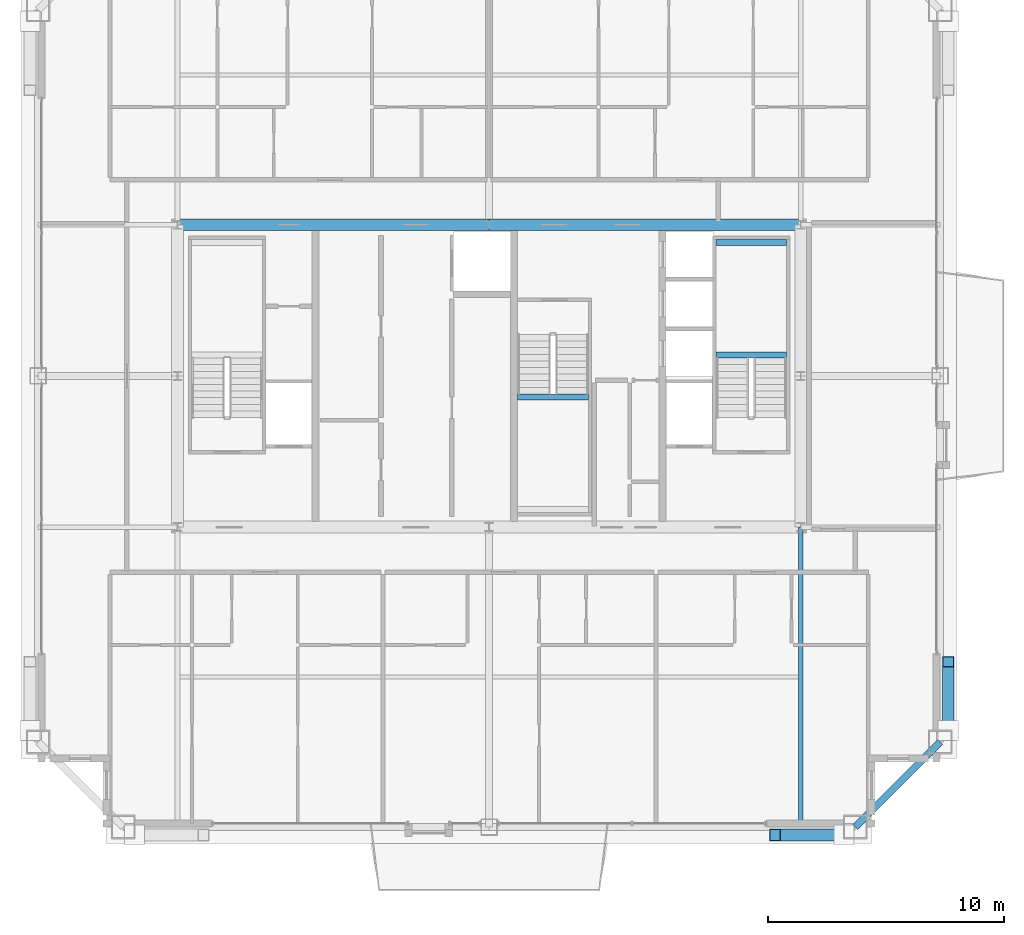
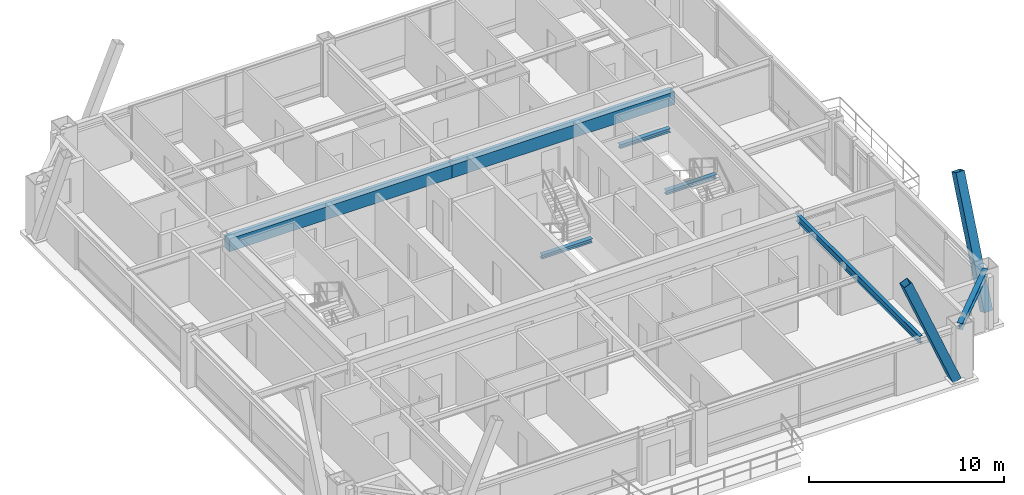
# One storey, part 12 of 35: 7 beams, 2 members.
"""IFC4 building model written with IfcOpenShell, lengths in metres."""

from ifc_helpers import new_model, si_unit, direction, frame, origin, origin_2d, place, context, subcontext, project, spatial, rectangle, hollow_rectangle, i_section, extrude, source, transform, mapped, material, material_profile, profile_set, type_object, element, save


model = new_model("IFC4")

# Units and contexts
model_context = context("Model", 3, precision=1e-05, world=origin(), true_north=direction((0.0, 1.0)))
body_context = subcontext(model_context, "Body", "Model", "MODEL_VIEW")
ifc_project = project(units=[si_unit("LENGTHUNIT", "METRE"), si_unit("AREAUNIT", "SQUARE_METRE"), si_unit("VOLUMEUNIT", "CUBIC_METRE"), si_unit("PLANEANGLEUNIT", "RADIAN"), si_unit("MASSUNIT", "GRAM", prefix="KILO"), si_unit("THERMODYNAMICTEMPERATUREUNIT", "KELVIN"), si_unit("POWERUNIT", "WATT")], contexts=[model_context])

# Site, building, storey
site_placement = place(None, origin())
site = spatial("IfcSite", under=ifc_project, at=site_placement, CompositionType="ELEMENT")
building_placement = place(site_placement, origin())
building = spatial("IfcBuilding", under=site, at=building_placement, Name="Yuzanri Waterfront Tower", CompositionType="ELEMENT")
storey_placement = place(building_placement, frame((0.0, 0.0, 335.699951171875)))
storey = spatial("IfcBuildingStorey", under=building, at=storey_placement, Name="L90", CompositionType="ELEMENT", Elevation=335.699951171875)

# Beams
ifc_material_1 = material(Name="Concrete C50", Category="concrete")
ifc_material_profile_1 = material_profile(ifc_material_1, rectangle(XDim=0.5, YDim=0.800048828125, at=origin_2d()), Name="RC 500x800")
ifc_profile_set_1 = profile_set([ifc_material_profile_1], Name="Concrete C50")
beam_type_1 = type_object("IfcBeamType", Name="Core Coupling Lintel Concrete C50 500x800", PredefinedType="LINTEL", material=ifc_profile_set_1)
shared_shape_1 = source(origin(), body_context, "Body", "SweptSolid", [
    extrude(rectangle(XDim=0.5, YDim=0.800048828125, at=origin_2d()), origin(), (0.0, 0.0, 1.0), 13.199951171875),
])
for number, where, z_axis, x_axis, name in (
    (1, (23.800048828125, 32.199951171875, 2.860107421875), (1.0, 0.0, 0.0), (0.0, 1.0, 0.0), "L90 Core Tie Beam CN1"),
    (2, (37.0, 32.199951171875, 2.860107421875), (1.0, 0.0, 0.0), (0.0, 1.0, 0.0), "L90 Core Tie Beam CN2"),
):
    element("IfcBeam", number, at=place(storey_placement, frame(where, z_axis=z_axis, x_axis=x_axis)), inside=storey, type_object=beam_type_1, Name=name, PredefinedType="LINTEL", context=body_context, shape_type="MappedRepresentation", body=[
        mapped(shared_shape_1, transform((0.0, 0.0, 0.0), scale=1.0)),
    ])
ifc_material_2 = material(Name="Steel Q355B", Category="steel")
ifc_material_profile_2 = material_profile(ifc_material_2, i_section(OverallWidth=0.300048828125, OverallDepth=0.389892578125, WebThickness=0.010009765625, FlangeThickness=0.01611328125, at=origin_2d()), Name="HM 390x300x10x16")
ifc_profile_set_2 = profile_set([ifc_material_profile_2], Name="Steel Q355B")
beam_type_2 = type_object("IfcBeamType", Name="Perimeter Spandrel Q355B HM 390x300", PredefinedType="SPANDREL", material=ifc_profile_set_2)
shared_shape_2 = source(origin(), body_context, "Body", "SweptSolid", [
    extrude(i_section(OverallWidth=0.300048828125, OverallDepth=0.389892578125, WebThickness=0.010009765625, FlangeThickness=0.01611328125, at=origin_2d()), origin(), (0.0, 0.0, 1.0), 5.09130859375),
])
beam_1_placement = place(storey_placement, frame((52.5, 6.699951171875, 3.06494140625), z_axis=(0.707106781187, 0.707106781187, 0.0), x_axis=(-0.707106781187, 0.707106781187, 0.0)))
element("IfcBeam", 3, at=beam_1_placement, inside=storey, type_object=beam_type_2, Name="L90 Perimeter Spandrel S3-E1", PredefinedType="SPANDREL", context=body_context, shape_type="MappedRepresentation", body=[
    mapped(shared_shape_2, transform((0.0, 0.0, 0.0), scale=1.0)),
])
ifc_material_3 = material(Name="Steel Q355B", Category="steel")
ifc_material_profile_3 = material_profile(ifc_material_3, i_section(OverallWidth=0.199951171875, OverallDepth=0.449951171875, WebThickness=0.009033203125, FlangeThickness=0.013916015625, at=origin_2d()), Name="HN 450x200x9x14")
ifc_profile_set_3 = profile_set([ifc_material_profile_3], Name="Steel Q355B")
beam_type_3 = type_object("IfcBeamType", Name="Secondary Floor Beam Q355B HN 450x200", PredefinedType="BEAM", material=ifc_profile_set_3)
shared_shape_3 = source(origin(), body_context, "Body", "SweptSolid", [
    extrude(i_section(OverallWidth=0.199951171875, OverallDepth=0.449951171875, WebThickness=0.009033203125, FlangeThickness=0.013916015625, at=origin_2d()), origin(), (0.0, 0.0, 1.0), 12.699951171875),
])
beam_2_placement = place(storey_placement, frame((50.199951171875, 19.39990234375, 3.03515625), z_axis=(0.0, -1.0, 0.0), x_axis=(1.0, 0.0, 0.0)))
element("IfcBeam", 4, at=beam_2_placement, inside=storey, type_object=beam_type_3, Name="L90 South-East Core Line Beam", PredefinedType="BEAM", context=body_context, shape_type="MappedRepresentation", body=[
    mapped(shared_shape_3, transform((0.0, 0.0, 0.0), scale=1.0)),
])

# Members
ifc_material_4 = material(Name="Steel Q390GJC", Category="steel")
ifc_material_profile_4 = material_profile(ifc_material_4, hollow_rectangle(XDim=0.5, YDim=0.5, WallThickness=0.02197265625, at=origin_2d()), Name="RHS 500x500x22")
ifc_profile_set_4 = profile_set([ifc_material_profile_4], Name="Steel Q390GJC")
member_type = type_object("IfcMemberType", Name="Mega Brace Upper Q390GJC RHS 500x500x22", PredefinedType="BRACE", material=ifc_profile_set_4)
shared_shape_4 = source(origin(), body_context, "Body", "SweptSolid", [
    extrude(hollow_rectangle(XDim=0.5, YDim=0.5, WallThickness=0.02197265625, at=origin_2d()), origin(), (0.0, 0.0, 1.0), 7.58447265625),
])
for number, where, z_axis, x_axis, name in (
    (5, (52.02001953125, 6.360107421875, 0.179931640625), (-0.384981052529, 0.0, 0.92292447643), (0.0, -1.0, 0.0), "L90-L91 Perimeter Mega-Brace S-R"),
    (6, (56.43994140625, 10.780029296875, 0.179931640625), (0.0, 0.384981052529, 0.92292447643), (-1.0, 0.0, 0.0), "L90-L91 Perimeter Mega-Brace E-L"),
):
    element("IfcMember", number, at=place(storey_placement, frame(where, z_axis=z_axis, x_axis=x_axis)), inside=storey, type_object=member_type, Name=name, PredefinedType="BRACE", context=body_context, shape_type="MappedRepresentation", body=[
        mapped(shared_shape_4, transform((0.0, 0.0, 0.0), scale=1.0)),
    ])

# Beams
ifc_material_5 = material(Name="Steel Q355B", Category="steel")
ifc_material_profile_5 = material_profile(ifc_material_5, i_section(OverallWidth=0.25, OverallDepth=0.25, WebThickness=0.009033203125, FlangeThickness=0.013916015625, at=origin_2d()), Name="HW 250x250x9x14")
ifc_profile_set_5 = profile_set([ifc_material_profile_5], Name="Steel Q355B")
beam_type_4 = type_object("IfcBeamType", Name="Stair Landing Support Beam Q355B HW 250x250", PredefinedType="BEAM", material=ifc_profile_set_5)
shared_shape_5 = source(origin(), body_context, "Body", "SweptSolid", [
    extrude(i_section(OverallWidth=0.25, OverallDepth=0.25, WebThickness=0.009033203125, FlangeThickness=0.013916015625, at=origin_2d()), origin(), (0.0, 0.0, 1.0), 3.0),
])
for number, where, z_axis, x_axis, name in (
    (7, (46.60009765625, 26.68994140625, 1.425048828125), (1.0, 0.0, 0.0), (0.0, 1.0, 0.0), "L90 Stair Landing Support Beam ST-02-L90-L1-1"),
    (8, (46.60009765625, 31.449951171875, 1.425048828125), (1.0, 0.0, 0.0), (0.0, 1.0, 0.0), "L90 Stair Landing Support Beam ST-02-L90-L1-2"),
    (9, (38.199951171875, 24.909912109375, 1.425048828125), (1.0, 0.0, 0.0), (0.0, 1.0, 0.0), "L90 Stair Landing Support Beam ST-03-L90-L1-2"),
):
    element("IfcBeam", number, at=place(storey_placement, frame(where, z_axis=z_axis, x_axis=x_axis)), inside=storey, type_object=beam_type_4, Name=name, PredefinedType="BEAM", context=body_context, shape_type="MappedRepresentation", body=[
        mapped(shared_shape_5, transform((0.0, 0.0, 0.0), scale=1.0)),
    ])

save(model, "model.ifc")
